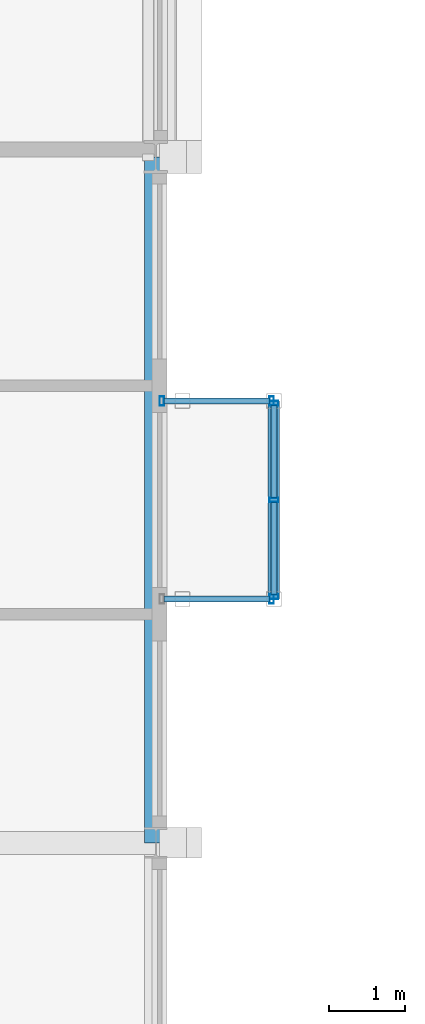
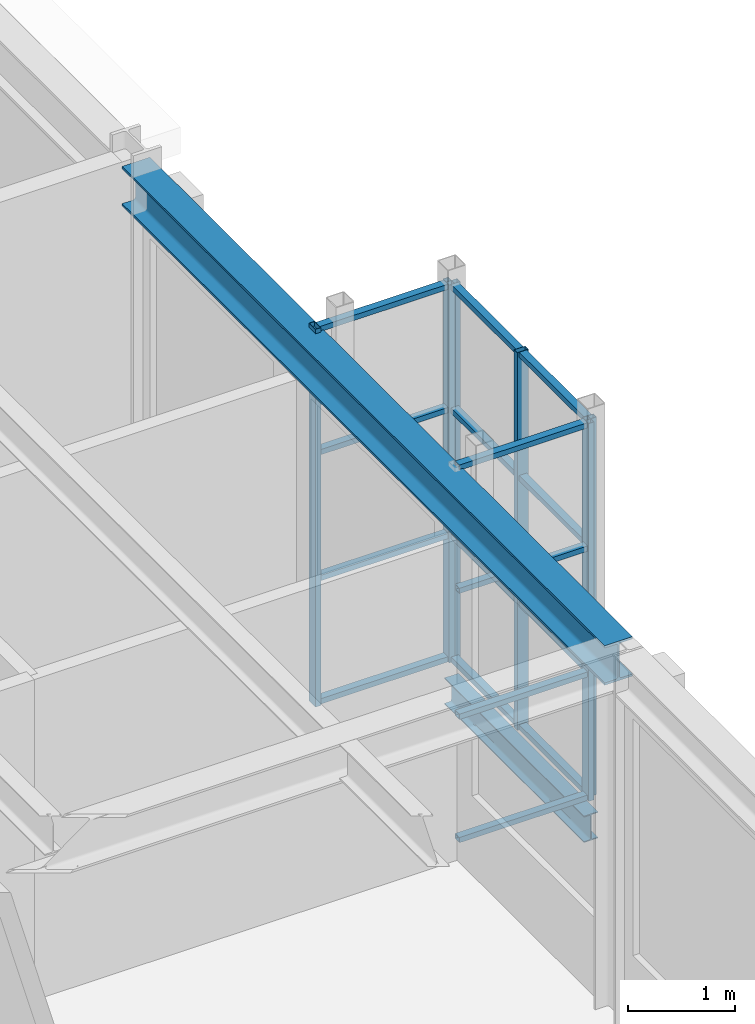
# One storey, part 29 of 149: 22 members, 2 beams, 3 elements without a shape of their own.
"""IFC4 building model written with IfcOpenShell, lengths in metres."""

from ifc_helpers import new_model, si_unit, direction, frame, origin, origin_2d, place, context, subcontext, project, spatial, hollow_rectangle, i_section, extrude, material, material_profile, profile_set, type_object, element, aggregate, save


model = new_model("IFC4")

# Units and contexts
model_context = context("Model", 3, precision=1e-05, world=origin(), true_north=direction((0.0, 1.0)))
body_context = subcontext(model_context, "Body", "Model", "MODEL_VIEW")
ifc_project = project(units=[si_unit("LENGTHUNIT", "METRE"), si_unit("AREAUNIT", "SQUARE_METRE"), si_unit("VOLUMEUNIT", "CUBIC_METRE"), si_unit("PLANEANGLEUNIT", "RADIAN"), si_unit("MASSUNIT", "GRAM", prefix="KILO")], contexts=[model_context])

# Site, building, storey
site_placement = place(None, origin())
site = spatial("IfcSite", under=ifc_project, at=site_placement, CompositionType="ELEMENT")
building_placement = place(site_placement, origin())
building = spatial("IfcBuilding", under=site, at=building_placement, Name="Kallimachos Central Library", CompositionType="ELEMENT")
storey_placement = place(building_placement, frame((0.0, 0.0, 9.89990234375)))
storey = spatial("IfcBuildingStorey", under=building, at=storey_placement, Name="L02", CompositionType="ELEMENT", Elevation=9.89990234375)

# Beams
ifc_material_1 = material(Name="Steel S355J2", Category="steel")
ifc_material_profile_1 = material_profile(ifc_material_1, i_section(OverallWidth=0.300048828125, OverallDepth=0.449951171875, WebThickness=0.013916015625, FlangeThickness=0.02587890625, FilletRadius=0.027099609375, at=origin_2d()), Name="HEB 450")
ifc_profile_set_1 = profile_set([ifc_material_profile_1], Name="Steel S355J2")
beam_type_1 = type_object("IfcBeamType", Name="HEB 450 beam", PredefinedType="BEAM", material=ifc_profile_set_1)
beam_1_placement = place(storey_placement, frame((110.5, 66.0, 4.025146484375), z_axis=(0.0, 1.0, 0.0), x_axis=(-1.0, 0.0, 0.0)))
element("IfcBeam", 1, at=beam_1_placement, inside=storey, type_object=beam_type_1, Name="V4-BEM-L02-036", PredefinedType="BEAM", context=body_context, shape_type="SweptSolid", body=[
    extrude(i_section(OverallWidth=0.300048828125, OverallDepth=0.449951171875, WebThickness=0.013916015625, FlangeThickness=0.02587890625, FilletRadius=0.027099609375, at=origin_2d()), origin(), (0.0, 0.0, 1.0), 9.0),
])
ifc_material_2 = material(Name="Steel S355J2", Category="steel")
ifc_material_profile_2 = material_profile(ifc_material_2, i_section(OverallWidth=0.14990234375, OverallDepth=0.300048828125, WebThickness=0.007080078125, FlangeThickness=0.0107421875, FilletRadius=0.014892578125, at=origin_2d()), Name="IPE 300")
ifc_profile_set_2 = profile_set([ifc_material_profile_2], Name="Steel S355J2")
beam_type_2 = type_object("IfcBeamType", Name="IPE 300 beam", PredefinedType="BEAM", material=ifc_profile_set_2)
beam_2_placement = place(storey_placement, frame((112.050048828125, 69.199951171875, -0.349853515625), z_axis=(0.0, 1.0, 0.0), x_axis=(-1.0, 0.0, 0.0)))
element("IfcBeam", 2, at=beam_2_placement, inside=storey, type_object=beam_type_2, Name="Tribune bay E2 edge beam L02", PredefinedType="BEAM", context=body_context, shape_type="SweptSolid", body=[
    extrude(i_section(OverallWidth=0.14990234375, OverallDepth=0.300048828125, WebThickness=0.007080078125, FlangeThickness=0.0107421875, FilletRadius=0.014892578125, at=origin_2d()), origin(), (0.0, 0.0, 1.0), 2.60009765625),
])

# Curtain wall, members
ifc_material_3 = material(Name="Aluminium and laminated glass", Category="aluminium")
curtain_wall_type = type_object("IfcCurtainWallType", Name="Tribune bay glazed screen", PredefinedType="NOTDEFINED", material=ifc_material_3)
curtain_wall_1_placement = place(storey_placement, origin())
curtain_wall_1 = element("IfcCurtainWall", 3, at=curtain_wall_1_placement, inside=storey, type_object=curtain_wall_type, Name="Tribune bay E2 L02 front", PredefinedType="NOTDEFINED")
ifc_material_4 = material(Name="Anodised aluminium", Category="aluminium")
ifc_material_profile_3 = material_profile(ifc_material_4, hollow_rectangle(XDim=0.06005859375, YDim=0.1201171875, WallThickness=0.00390625, at=origin_2d()), Name="ALU MULLION 60x120")
ifc_profile_set_3 = profile_set([ifc_material_profile_3], Name="Anodised aluminium")
member_type_1 = type_object("IfcMemberType", Name="Tribune bay mullion", PredefinedType="MULLION", material=ifc_profile_set_3)
member_1_placement = place(storey_placement, frame((112.050048828125, 69.22998046875, 0.0), z_axis=(0.0, 0.0, 1.0), x_axis=(0.0, 1.0, 0.0)))
member_1 = element("IfcMember", 4, at=member_1_placement, type_object=member_type_1, Name="CW mullion 1", PredefinedType="MULLION", context=body_context, shape_type="SweptSolid", body=[
    extrude(hollow_rectangle(XDim=0.06005859375, YDim=0.1201171875, WallThickness=0.00390625, at=origin_2d()), origin(), (0.0, 0.0, 1.0), 4.300048828125),
])
member_2_placement = place(storey_placement, frame((112.050048828125, 70.5, 0.0), z_axis=(0.0, 0.0, 1.0), x_axis=(0.0, 1.0, 0.0)))
member_2 = element("IfcMember", 5, at=member_2_placement, type_object=member_type_1, Name="CW mullion 2", PredefinedType="MULLION", context=body_context, shape_type="SweptSolid", body=[
    extrude(hollow_rectangle(XDim=0.06005859375, YDim=0.1201171875, WallThickness=0.00390625, at=origin_2d()), origin(), (0.0, 0.0, 1.0), 4.300048828125),
])
member_3_placement = place(storey_placement, frame((112.050048828125, 71.77001953125, 0.0), z_axis=(0.0, 0.0, 1.0), x_axis=(0.0, 1.0, 0.0)))
member_3 = element("IfcMember", 6, at=member_3_placement, type_object=member_type_1, Name="CW mullion 3", PredefinedType="MULLION", context=body_context, shape_type="SweptSolid", body=[
    extrude(hollow_rectangle(XDim=0.06005859375, YDim=0.1201171875, WallThickness=0.00390625, at=origin_2d()), origin(), (0.0, 0.0, 1.0), 4.300048828125),
])

# Curtain wall, member
curtain_wall_2_placement = place(storey_placement, origin())
curtain_wall_2 = element("IfcCurtainWall", 7, at=curtain_wall_2_placement, inside=storey, type_object=curtain_wall_type, Name="Tribune bay E2 L02 return 1", PredefinedType="NOTDEFINED")
member_4_placement = place(storey_placement, frame((112.02001953125, 69.199951171875, 0.0), z_axis=(0.0, 0.0, 1.0), x_axis=(1.0, 0.0, 0.0)))
member_4 = element("IfcMember", 8, at=member_4_placement, type_object=member_type_1, Name="CW mullion 2", PredefinedType="MULLION", context=body_context, shape_type="SweptSolid", body=[
    extrude(hollow_rectangle(XDim=0.06005859375, YDim=0.1201171875, WallThickness=0.00390625, at=origin_2d()), origin(), (0.0, 0.0, 1.0), 4.300048828125),
])

# Curtain wall, members
curtain_wall_3_placement = place(storey_placement, origin())
curtain_wall_3 = element("IfcCurtainWall", 9, at=curtain_wall_3_placement, inside=storey, type_object=curtain_wall_type, Name="Tribune bay E2 L02 return 2", PredefinedType="NOTDEFINED")
member_5_placement = place(storey_placement, frame((110.580078125, 71.800048828125, 0.0), z_axis=(0.0, 0.0, 1.0), x_axis=(1.0, 0.0, 0.0)))
member_5 = element("IfcMember", 10, at=member_5_placement, type_object=member_type_1, Name="CW mullion 1", PredefinedType="MULLION", context=body_context, shape_type="SweptSolid", body=[
    extrude(hollow_rectangle(XDim=0.06005859375, YDim=0.1201171875, WallThickness=0.00390625, at=origin_2d()), origin(), (0.0, 0.0, 1.0), 4.300048828125),
])
member_6_placement = place(storey_placement, frame((112.02001953125, 71.800048828125, 0.0), z_axis=(0.0, 0.0, 1.0), x_axis=(1.0, 0.0, 0.0)))
member_6 = element("IfcMember", 11, at=member_6_placement, type_object=member_type_1, Name="CW mullion 2", PredefinedType="MULLION", context=body_context, shape_type="SweptSolid", body=[
    extrude(hollow_rectangle(XDim=0.06005859375, YDim=0.1201171875, WallThickness=0.00390625, at=origin_2d()), origin(), (0.0, 0.0, 1.0), 4.300048828125),
])

# Member
ifc_material_5 = material(Name="Anodised aluminium", Category="aluminium")
ifc_material_profile_4 = material_profile(ifc_material_5, hollow_rectangle(XDim=0.06005859375, YDim=0.080078125, WallThickness=0.00390625, at=origin_2d()), Name="ALU TRANSOM 60x80")
ifc_profile_set_4 = profile_set([ifc_material_profile_4], Name="Anodised aluminium")
member_type_2 = type_object("IfcMemberType", Name="Tribune bay transom", PredefinedType="USERDEFINED", material=ifc_profile_set_4)
member_7_placement = place(storey_placement, frame((112.050048828125, 69.260009765625, 0.030029296875), z_axis=(0.0, 1.0, 0.0), x_axis=(0.0, 0.0, 1.0)))
member_7 = element("IfcMember", 12, at=member_7_placement, type_object=member_type_2, Name="CW transom 1.1", ObjectType="TRANSOM", PredefinedType="USERDEFINED", context=body_context, shape_type="SweptSolid", body=[
    extrude(hollow_rectangle(XDim=0.06005859375, YDim=0.080078125, WallThickness=0.00390625, at=origin_2d()), origin(), (0.0, 0.0, 1.0), 1.2099609375),
])

member_8_placement = place(storey_placement, frame((112.050048828125, 69.260009765625, 1.433349609375), z_axis=(0.0, 1.0, 0.0), x_axis=(0.0, 0.0, 1.0)))
member_8 = element("IfcMember", 13, at=member_8_placement, type_object=member_type_2, Name="CW transom 1.2", ObjectType="TRANSOM", PredefinedType="USERDEFINED", context=body_context, shape_type="SweptSolid", body=[
    extrude(hollow_rectangle(XDim=0.06005859375, YDim=0.080078125, WallThickness=0.00390625, at=origin_2d()), origin(), (0.0, 0.0, 1.0), 1.2099609375),
])

member_9_placement = place(storey_placement, frame((112.050048828125, 69.260009765625, 2.86669921875), z_axis=(0.0, 1.0, 0.0), x_axis=(0.0, 0.0, 1.0)))
member_9 = element("IfcMember", 14, at=member_9_placement, type_object=member_type_2, Name="CW transom 1.3", ObjectType="TRANSOM", PredefinedType="USERDEFINED", context=body_context, shape_type="SweptSolid", body=[
    extrude(hollow_rectangle(XDim=0.06005859375, YDim=0.080078125, WallThickness=0.00390625, at=origin_2d()), origin(), (0.0, 0.0, 1.0), 1.2099609375),
])

member_10_placement = place(storey_placement, frame((112.050048828125, 69.260009765625, 4.27001953125), z_axis=(0.0, 1.0, 0.0), x_axis=(0.0, 0.0, 1.0)))
member_10 = element("IfcMember", 15, at=member_10_placement, type_object=member_type_2, Name="CW transom 1.4", ObjectType="TRANSOM", PredefinedType="USERDEFINED", context=body_context, shape_type="SweptSolid", body=[
    extrude(hollow_rectangle(XDim=0.06005859375, YDim=0.080078125, WallThickness=0.00390625, at=origin_2d()), origin(), (0.0, 0.0, 1.0), 1.2099609375),
])

member_11_placement = place(storey_placement, frame((112.050048828125, 70.530029296875, 0.030029296875), z_axis=(0.0, 1.0, 0.0), x_axis=(0.0, 0.0, 1.0)))
member_11 = element("IfcMember", 16, at=member_11_placement, type_object=member_type_2, Name="CW transom 2.1", ObjectType="TRANSOM", PredefinedType="USERDEFINED", context=body_context, shape_type="SweptSolid", body=[
    extrude(hollow_rectangle(XDim=0.06005859375, YDim=0.080078125, WallThickness=0.00390625, at=origin_2d()), origin(), (0.0, 0.0, 1.0), 1.2099609375),
])

member_12_placement = place(storey_placement, frame((112.050048828125, 70.530029296875, 1.433349609375), z_axis=(0.0, 1.0, 0.0), x_axis=(0.0, 0.0, 1.0)))
member_12 = element("IfcMember", 17, at=member_12_placement, type_object=member_type_2, Name="CW transom 2.2", ObjectType="TRANSOM", PredefinedType="USERDEFINED", context=body_context, shape_type="SweptSolid", body=[
    extrude(hollow_rectangle(XDim=0.06005859375, YDim=0.080078125, WallThickness=0.00390625, at=origin_2d()), origin(), (0.0, 0.0, 1.0), 1.2099609375),
])

member_13_placement = place(storey_placement, frame((112.050048828125, 70.530029296875, 2.86669921875), z_axis=(0.0, 1.0, 0.0), x_axis=(0.0, 0.0, 1.0)))
member_13 = element("IfcMember", 18, at=member_13_placement, type_object=member_type_2, Name="CW transom 2.3", ObjectType="TRANSOM", PredefinedType="USERDEFINED", context=body_context, shape_type="SweptSolid", body=[
    extrude(hollow_rectangle(XDim=0.06005859375, YDim=0.080078125, WallThickness=0.00390625, at=origin_2d()), origin(), (0.0, 0.0, 1.0), 1.2099609375),
])

member_14_placement = place(storey_placement, frame((112.050048828125, 70.530029296875, 4.27001953125), z_axis=(0.0, 1.0, 0.0), x_axis=(0.0, 0.0, 1.0)))
member_14 = element("IfcMember", 19, at=member_14_placement, type_object=member_type_2, Name="CW transom 2.4", ObjectType="TRANSOM", PredefinedType="USERDEFINED", context=body_context, shape_type="SweptSolid", body=[
    extrude(hollow_rectangle(XDim=0.06005859375, YDim=0.080078125, WallThickness=0.00390625, at=origin_2d()), origin(), (0.0, 0.0, 1.0), 1.2099609375),
])

aggregate(curtain_wall_1, [member_1, member_2, member_3, member_7, member_8, member_9, member_10, member_11, member_12, member_13, member_14])

member_15_placement = place(storey_placement, frame((110.610107421875, 69.199951171875, 0.030029296875), z_axis=(1.0, 0.0, 0.0), x_axis=(0.0, 0.0, 1.0)))
member_15 = element("IfcMember", 20, at=member_15_placement, type_object=member_type_2, Name="CW transom 1.1", ObjectType="TRANSOM", PredefinedType="USERDEFINED", context=body_context, shape_type="SweptSolid", body=[
    extrude(hollow_rectangle(XDim=0.06005859375, YDim=0.080078125, WallThickness=0.00390625, at=origin_2d()), origin(), (0.0, 0.0, 1.0), 1.3798828125),
])

member_16_placement = place(storey_placement, frame((110.610107421875, 69.199951171875, 1.433349609375), z_axis=(1.0, 0.0, 0.0), x_axis=(0.0, 0.0, 1.0)))
member_16 = element("IfcMember", 21, at=member_16_placement, type_object=member_type_2, Name="CW transom 1.2", ObjectType="TRANSOM", PredefinedType="USERDEFINED", context=body_context, shape_type="SweptSolid", body=[
    extrude(hollow_rectangle(XDim=0.06005859375, YDim=0.080078125, WallThickness=0.00390625, at=origin_2d()), origin(), (0.0, 0.0, 1.0), 1.3798828125),
])

member_17_placement = place(storey_placement, frame((110.610107421875, 69.199951171875, 2.86669921875), z_axis=(1.0, 0.0, 0.0), x_axis=(0.0, 0.0, 1.0)))
member_17 = element("IfcMember", 22, at=member_17_placement, type_object=member_type_2, Name="CW transom 1.3", ObjectType="TRANSOM", PredefinedType="USERDEFINED", context=body_context, shape_type="SweptSolid", body=[
    extrude(hollow_rectangle(XDim=0.06005859375, YDim=0.080078125, WallThickness=0.00390625, at=origin_2d()), origin(), (0.0, 0.0, 1.0), 1.3798828125),
])

member_18_placement = place(storey_placement, frame((110.610107421875, 69.199951171875, 4.27001953125), z_axis=(1.0, 0.0, 0.0), x_axis=(0.0, 0.0, 1.0)))
member_18 = element("IfcMember", 23, at=member_18_placement, type_object=member_type_2, Name="CW transom 1.4", ObjectType="TRANSOM", PredefinedType="USERDEFINED", context=body_context, shape_type="SweptSolid", body=[
    extrude(hollow_rectangle(XDim=0.06005859375, YDim=0.080078125, WallThickness=0.00390625, at=origin_2d()), origin(), (0.0, 0.0, 1.0), 1.3798828125),
])

aggregate(curtain_wall_2, [member_4, member_15, member_16, member_17, member_18])

member_19_placement = place(storey_placement, frame((110.610107421875, 71.800048828125, 0.030029296875), z_axis=(1.0, 0.0, 0.0), x_axis=(0.0, 0.0, 1.0)))
member_19 = element("IfcMember", 24, at=member_19_placement, type_object=member_type_2, Name="CW transom 1.1", ObjectType="TRANSOM", PredefinedType="USERDEFINED", context=body_context, shape_type="SweptSolid", body=[
    extrude(hollow_rectangle(XDim=0.06005859375, YDim=0.080078125, WallThickness=0.00390625, at=origin_2d()), origin(), (0.0, 0.0, 1.0), 1.3798828125),
])

member_20_placement = place(storey_placement, frame((110.610107421875, 71.800048828125, 1.433349609375), z_axis=(1.0, 0.0, 0.0), x_axis=(0.0, 0.0, 1.0)))
member_20 = element("IfcMember", 25, at=member_20_placement, type_object=member_type_2, Name="CW transom 1.2", ObjectType="TRANSOM", PredefinedType="USERDEFINED", context=body_context, shape_type="SweptSolid", body=[
    extrude(hollow_rectangle(XDim=0.06005859375, YDim=0.080078125, WallThickness=0.00390625, at=origin_2d()), origin(), (0.0, 0.0, 1.0), 1.3798828125),
])

member_21_placement = place(storey_placement, frame((110.610107421875, 71.800048828125, 2.86669921875), z_axis=(1.0, 0.0, 0.0), x_axis=(0.0, 0.0, 1.0)))
member_21 = element("IfcMember", 26, at=member_21_placement, type_object=member_type_2, Name="CW transom 1.3", ObjectType="TRANSOM", PredefinedType="USERDEFINED", context=body_context, shape_type="SweptSolid", body=[
    extrude(hollow_rectangle(XDim=0.06005859375, YDim=0.080078125, WallThickness=0.00390625, at=origin_2d()), origin(), (0.0, 0.0, 1.0), 1.3798828125),
])

member_22_placement = place(storey_placement, frame((110.610107421875, 71.800048828125, 4.27001953125), z_axis=(1.0, 0.0, 0.0), x_axis=(0.0, 0.0, 1.0)))
member_22 = element("IfcMember", 27, at=member_22_placement, type_object=member_type_2, Name="CW transom 1.4", ObjectType="TRANSOM", PredefinedType="USERDEFINED", context=body_context, shape_type="SweptSolid", body=[
    extrude(hollow_rectangle(XDim=0.06005859375, YDim=0.080078125, WallThickness=0.00390625, at=origin_2d()), origin(), (0.0, 0.0, 1.0), 1.3798828125),
])

aggregate(curtain_wall_3, [member_5, member_6, member_19, member_20, member_21, member_22])

save(model, "model.ifc")
